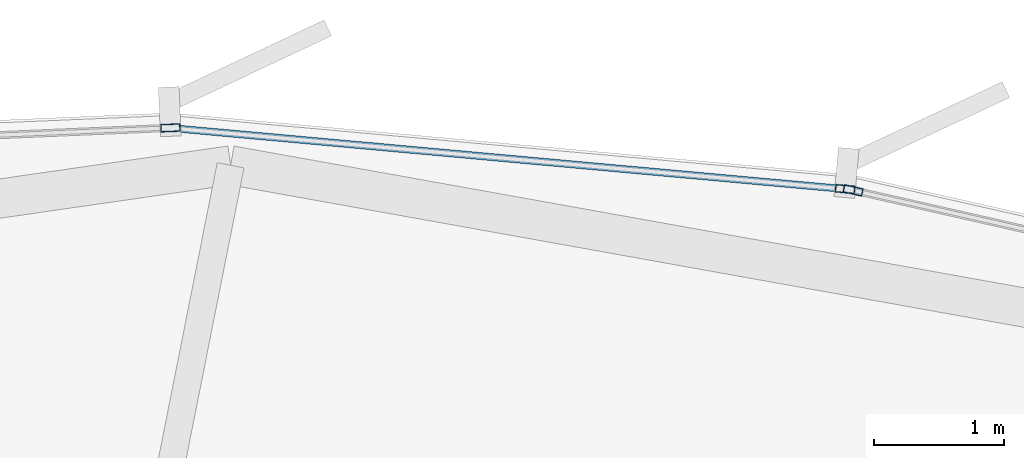
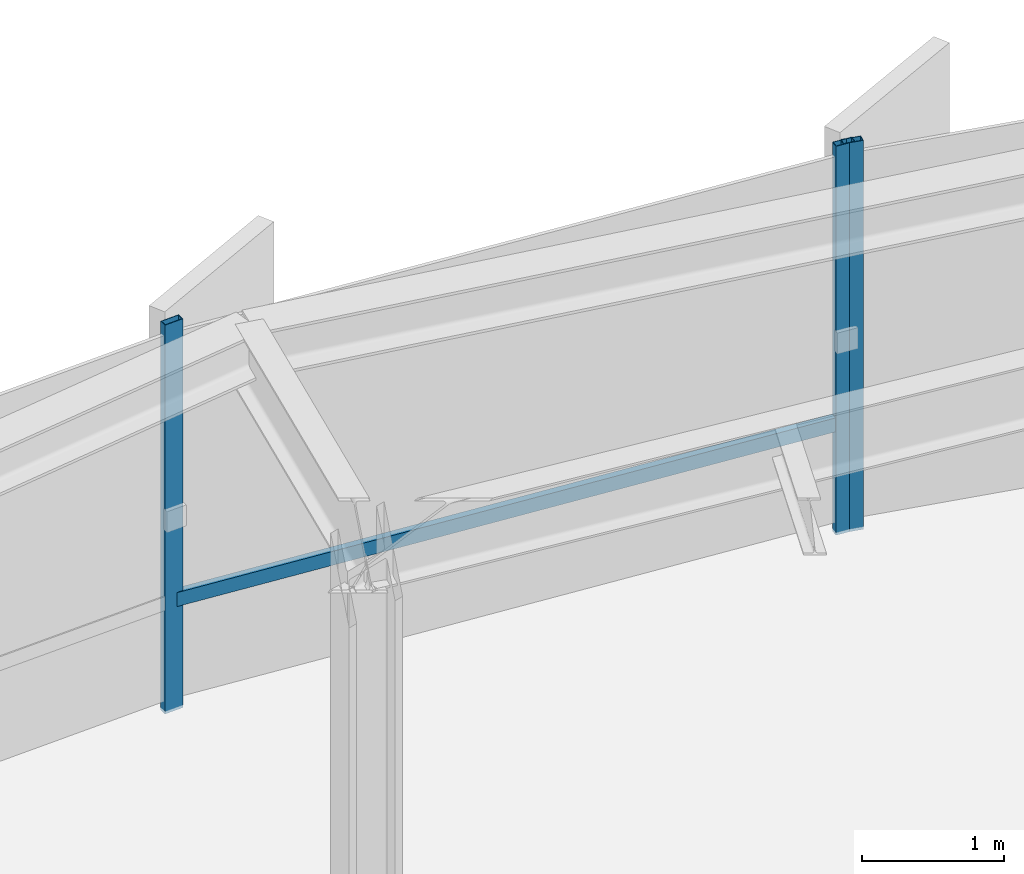
# One storey, part 26 of 35: 4 members, 2 elements without a shape of their own.
"""IFC4 building model written with IfcOpenShell, lengths in metres."""

import ifcopenshell
import ifcopenshell.guid

model = None  # the IFC model being written
_history = None  # IfcOwnerHistory: only IFC2X3 demands one
_inside = {}  # id of a spatial element -> (the spatial element, [elements in it])
_under = {}  # id of a project, library or spatial element -> (it, [spatial elements below it])
_declared = {}  # id of a project -> (the project, [libraries it declares])
_typed = {}  # id of a type object -> (the type object, [elements of that type])
_made_of = {}  # id of a material, layer set ... -> (it, [elements and type objects made of it])


def new_model(schema):
    """Start an empty IFC model of exactly this schema.

    Asked for "IFC4X3", IfcOpenShell would pick the latest addendum, in which some entities
    have other attributes; the version numbers below select the first issue.
    IFC2X3 requires an IfcOwnerHistory on every rooted entity: one is made here for all.
    """
    global model, _history
    if schema == "IFC4X3":
        model = ifcopenshell.file(schema_version=(4, 3, 0, 0))
    else:
        model = ifcopenshell.file(schema=schema)
    _inside.clear()
    _under.clear()
    _declared.clear()
    _typed.clear()
    _made_of.clear()
    _history = None
    if model.schema == "IFC2X3":
        org = make("IfcOrganization", Name="unknown")
        user = make(
            "IfcPersonAndOrganization",
            ThePerson=make("IfcPerson", FamilyName="unknown"),
            TheOrganization=org,
        )
        app = make(
            "IfcApplication",
            ApplicationDeveloper=org,
            Version="unknown",
            ApplicationFullName="unknown",
            ApplicationIdentifier="unknown",
        )
        _history = make(
            "IfcOwnerHistory",
            OwningUser=user,
            OwningApplication=app,
            ChangeAction="ADDED",
            CreationDate=0,
        )
    return model


def make(cls, **values):
    """One entity of the class cls with the attributes given. An attribute that is None is left unset."""
    return model.create_entity(
        cls, **{name: value for name, value in values.items() if value is not None}
    )


def rooted(cls, **values):
    """An entity with a GlobalId (a new one), such as an element, a storey or a relation."""
    return make(cls, GlobalId=ifcopenshell.guid.new(), OwnerHistory=_history, **values)


def si_unit(unit_type, name, prefix=None):
    """IfcSIUnit, for example si_unit("LENGTHUNIT", "METRE", prefix="MILLI")."""
    return make("IfcSIUnit", UnitType=unit_type, Prefix=prefix, Name=name)


def assignment(units):
    """IfcUnitAssignment: the units of a project."""
    return None if units is None else make("IfcUnitAssignment", Units=units)


def point(xyz):
    """IfcCartesianPoint."""
    return None if xyz is None else make("IfcCartesianPoint", Coordinates=xyz)


def direction(xyz):
    """IfcDirection."""
    return None if xyz is None else make("IfcDirection", DirectionRatios=xyz)


def frame(location, z_axis=None, x_axis=None):
    """IfcAxis2Placement3D, a coordinate frame: its origin and axes. An axis left out is left unset."""
    return make(
        "IfcAxis2Placement3D",
        Location=point(location),
        Axis=direction(z_axis),
        RefDirection=direction(x_axis),
    )


def frame_2d(location, x_axis=None):
    """IfcAxis2Placement2D, a coordinate frame in the plane: its origin and x axis."""
    return make(
        "IfcAxis2Placement2D", Location=point(location), RefDirection=direction(x_axis)
    )


def origin():
    """The frame at (0, 0, 0) with its axes left unset."""
    return frame((0.0, 0.0, 0.0))


def origin_2d():
    """The frame at (0, 0) in the plane with its x axis left unset."""
    return frame_2d((0.0, 0.0))


def place(relative_to, where):
    """IfcLocalPlacement: puts the frame where relative to a parent placement (None: the world)."""
    return make(
        "IfcLocalPlacement", PlacementRelTo=relative_to, RelativePlacement=where
    )


def context(
    kind, dimensions, precision=None, world=None, true_north=None, identifier=None
):
    """IfcGeometricRepresentationContext, for example the 3D "Model" context."""
    return make(
        "IfcGeometricRepresentationContext",
        ContextIdentifier=identifier,
        ContextType=kind,
        CoordinateSpaceDimension=dimensions,
        Precision=precision,
        WorldCoordinateSystem=world,
        TrueNorth=true_north,
    )


def subcontext(parent, identifier, kind, view, scale=None):
    """IfcGeometricRepresentationSubContext, for example "Body" below "Model"."""
    return make(
        "IfcGeometricRepresentationSubContext",
        ContextIdentifier=identifier,
        ContextType=kind,
        ParentContext=parent,
        TargetScale=scale,
        TargetView=view,
    )


def project(units=None, contexts=None):
    """IfcProject with its units and contexts."""
    return rooted(
        "IfcProject",
        Name="project",
        RepresentationContexts=contexts,
        UnitsInContext=assignment(units),
    )


def spatial(cls, under=None, at=None, **own):
    """A site, building, storey or space (cls), placed at a placement, below another one or the project."""
    s = rooted(cls, ObjectPlacement=at, **own)
    if under is not None:
        _under.setdefault(under.id(), (under, []))[1].append(s)
    return s


def profile(cls, at=None, kind="AREA", **sizes):
    """A parametric profile (cls). Its sizes go by their IFC names, for example OverallWidth=200.0."""
    return make(cls, ProfileType=kind, Position=at, **sizes)


def hollow_rectangle(**sizes):
    """IfcRectangleHollowProfileDef."""
    return profile("IfcRectangleHollowProfileDef", **sizes)


def extrude(swept, where, along, depth):
    """IfcExtrudedAreaSolid: the profile swept, set in the frame where, extruded along a direction by depth."""
    return make(
        "IfcExtrudedAreaSolid",
        SweptArea=swept,
        Position=where,
        ExtrudedDirection=direction(along),
        Depth=depth,
    )


def shape(context_of_items, identifier, shape_type, items):
    """IfcShapeRepresentation: the items that make up one representation, for example the "Body"."""
    return make(
        "IfcShapeRepresentation",
        ContextOfItems=context_of_items,
        RepresentationIdentifier=identifier,
        RepresentationType=shape_type,
        Items=items,
    )


def source(mapping_origin, context_of_items, identifier, shape_type, items):
    """IfcRepresentationMap: a shape defined once, which mapped items show again and again."""
    return make(
        "IfcRepresentationMap",
        MappingOrigin=mapping_origin,
        MappedRepresentation=shape(context_of_items, identifier, shape_type, items),
    )


def transform(
    local_origin,
    x_axis=None,
    y_axis=None,
    z_axis=None,
    scale=None,
    scale2=None,
    scale3=None,
    uniform=True,
):
    """IfcCartesianTransformationOperator3D, or its non-uniform kind. x_axis, y_axis, z_axis: its Axis1, 2, 3."""
    if uniform:
        return make(
            "IfcCartesianTransformationOperator3D",
            Axis1=direction(x_axis),
            Axis2=direction(y_axis),
            LocalOrigin=point(local_origin),
            Scale=scale,
            Axis3=direction(z_axis),
        )
    return make(
        "IfcCartesianTransformationOperator3DnonUniform",
        Axis1=direction(x_axis),
        Axis2=direction(y_axis),
        LocalOrigin=point(local_origin),
        Scale=scale,
        Axis3=direction(z_axis),
        Scale2=scale2,
        Scale3=scale3,
    )


def mapped(mapping_source, mapping_target):
    """IfcMappedItem: shows the shape of a source again, moved by a transform."""
    return make(
        "IfcMappedItem", MappingSource=mapping_source, MappingTarget=mapping_target
    )


def material(Name=None, Category=None):
    """IfcMaterial."""
    return make("IfcMaterial", Name=Name, Category=Category)


def layer(
    of_material, thickness, ventilated=None, Name=None, Category=None, Priority=None
):
    """IfcMaterialLayer: one layer of a wall or slab, of a material (None: an air gap)."""
    return make(
        "IfcMaterialLayer",
        Material=of_material,
        LayerThickness=thickness,
        IsVentilated=ventilated,
        Name=Name,
        Category=Category,
        Priority=Priority,
    )


def layer_set(layers, Name=None):
    """IfcMaterialLayerSet."""
    return make("IfcMaterialLayerSet", MaterialLayers=layers, LayerSetName=Name)


def material_profile(
    of_material, cross_section, Name=None, Category=None, Priority=None
):
    """IfcMaterialProfile: a cross section and its material."""
    return make(
        "IfcMaterialProfile",
        Name=Name,
        Material=of_material,
        Profile=cross_section,
        Priority=Priority,
        Category=Category,
    )


def profile_set(profiles, Name=None, composite=None):
    """IfcMaterialProfileSet."""
    return make(
        "IfcMaterialProfileSet",
        Name=Name,
        MaterialProfiles=profiles,
        CompositeProfile=composite,
    )


def made_of(thing, what):
    """Note that an element or type object is made of a material, layer set ...; save() writes the relation."""
    if what is not None:
        _made_of.setdefault(what.id(), (what, []))[1].append(thing)
    return thing


def type_object(cls, material=None, **own):
    """A type object (cls), such as IfcWallType, which elements share."""
    return made_of(rooted(cls, **own), material)


def element(
    cls,
    number,
    at=None,
    inside=None,
    cuts=None,
    type_object=None,
    material=None,
    context=None,
    identifier="Body",
    shape_type=None,
    held_by="IfcProductDefinitionShape",
    body=None,
    shapes=None,
    **own,
):
    """One element of the class cls, such as IfcWall. Its Tag is "e" and its number.

    at: its placement. inside: the storey or other place that contains it. cuts: it is an
    opening in that element (IfcRelVoidsElement). A single representation is given by context,
    identifier, shape_type and body (its items); several are given by shapes. held_by: the class
    of the entity that holds the representations. save() writes the other relations.
    """
    e = rooted(cls, Tag="e%d" % number, ObjectPlacement=at, **own)
    if body is not None:
        shapes = [shape(context, identifier, shape_type, body)]
    if shapes is not None:
        e.Representation = make(held_by, Representations=shapes)
    if inside is not None:
        _inside.setdefault(inside.id(), (inside, []))[1].append(e)
    if cuts is not None:
        rooted(
            "IfcRelVoidsElement", RelatingBuildingElement=cuts, RelatedOpeningElement=e
        )
    if type_object is not None:
        _typed.setdefault(type_object.id(), (type_object, []))[1].append(e)
    return made_of(e, material)


def aggregate(whole, parts):
    """IfcRelAggregates: a whole, such as a stair, and the parts it consists of."""
    return rooted("IfcRelAggregates", RelatingObject=whole, RelatedObjects=parts)


def save(model, path):
    """Write the relations noted so far, then the file.

    IfcRelAggregates (storeys below a building ...), IfcRelContainedInSpatialStructure (elements
    in a storey), IfcRelDefinesByType, IfcRelAssociatesMaterial and IfcRelDeclares: one each for
    every whole, place, type object, material and project.
    """
    for whole, parts in _under.values():
        aggregate(whole, parts)
    for where, things in _inside.values():
        rooted(
            "IfcRelContainedInSpatialStructure",
            RelatedElements=things,
            RelatingStructure=where,
        )
    for kind, things in _typed.values():
        rooted("IfcRelDefinesByType", RelatedObjects=things, RelatingType=kind)
    for what, things in _made_of.values():
        rooted("IfcRelAssociatesMaterial", RelatedObjects=things, RelatingMaterial=what)
    for by, libraries in _declared.values():
        rooted("IfcRelDeclares", RelatingContext=by, RelatedDefinitions=libraries)
    model.write(path)


model = new_model("IFC4")

# Units and contexts
model_context = context("Model", 3, precision=1e-05, world=origin(), true_north=direction((0.0, 1.0)))
body_context = subcontext(model_context, "Body", "Model", "MODEL_VIEW")
ifc_project = project(units=[si_unit("LENGTHUNIT", "METRE"), si_unit("AREAUNIT", "SQUARE_METRE"), si_unit("VOLUMEUNIT", "CUBIC_METRE"), si_unit("PLANEANGLEUNIT", "RADIAN"), si_unit("MASSUNIT", "GRAM", prefix="KILO"), si_unit("THERMODYNAMICTEMPERATUREUNIT", "KELVIN")], contexts=[model_context])

# Site, building, storey
site_placement = place(None, origin())
site = spatial("IfcSite", under=ifc_project, at=site_placement, CompositionType="ELEMENT")
building_placement = place(site_placement, origin())
building = spatial("IfcBuilding", under=site, at=building_placement, Name="Kethvar Cultural Tower", CompositionType="ELEMENT")
storey_placement = place(building_placement, frame((0.0, 0.0, 92.800048828125)))
storey = spatial("IfcBuildingStorey", under=building, at=storey_placement, Name="L22", CompositionType="ELEMENT", Elevation=92.800048828125)

# Curtain wall, member
ifc_material = material(Name="Aluminium 6063-T6", Category="aluminium")
ifc_layer = layer(ifc_material, 0.179931640625, Name="Aluminium 6063-T6", Category="aluminium")
ifc_layer_set = layer_set([ifc_layer], Name="Aluminium 6063-T6 (180 mm)")
curtain_wall_type = type_object("IfcCurtainWallType", Name="CW-SYS-03-Z2", PredefinedType="NOTDEFINED", material=ifc_layer_set)
curtain_wall_1_placement = place(storey_placement, origin())
curtain_wall_1 = element("IfcCurtainWall", 1, at=curtain_wall_1_placement, inside=storey, type_object=curtain_wall_type, Name="L22 Curtain Wall Run 01", PredefinedType="NOTDEFINED")
ifc_material_profile_1 = material_profile(ifc_material, hollow_rectangle(XDim=0.06005859375, YDim=0.14990234375, WallThickness=0.0048828125, at=origin_2d()), Name="Aluminium 6063-T6 — RHS150x60x5")
ifc_profile_set_1 = profile_set([ifc_material_profile_1], Name="Aluminium 6063-T6 — RHS150x60x5")
member_type_1 = type_object("IfcMemberType", Name="CW-SYS-03-Z2-MUL", PredefinedType="MULLION", material=ifc_profile_set_1)
shared_shape_1 = source(origin(), body_context, "Body", "SweptSolid", [
    extrude(hollow_rectangle(XDim=0.06005859375, YDim=0.14990234375, WallThickness=0.0048828125, at=origin_2d()), origin(), (0.0, 0.0, 1.0), 3.349853515625),
])
member_1_placement = place(storey_placement, frame((56.37060546875, 51.593994140625, 0.0), z_axis=(0.0, 0.0, 1.0), x_axis=(-0.22108894473, -0.975253648298, 0.0)))
member_1 = element("IfcMember", 2, at=member_1_placement, type_object=member_type_1, Name="CW-L22-R01 Mullion 7", PredefinedType="MULLION", context=body_context, shape_type="MappedRepresentation", body=[
    mapped(shared_shape_1, transform((0.0, 0.0, 0.0), scale=1.0)),
])
aggregate(curtain_wall_1, [member_1])

# Curtain wall, members
curtain_wall_2_placement = place(storey_placement, origin())
curtain_wall_2 = element("IfcCurtainWall", 3, at=curtain_wall_2_placement, inside=storey, type_object=curtain_wall_type, Name="L22 Curtain Wall Run 02", PredefinedType="NOTDEFINED")
member_2_placement = place(storey_placement, frame((56.308837890625, 51.603759765625, 0.0), z_axis=(0.0, 0.0, 1.0), x_axis=(-0.090198035041, -0.995923849737, 0.0)))
member_2 = element("IfcMember", 4, at=member_2_placement, type_object=member_type_1, Name="CW-L22-R02 Mullion 1", PredefinedType="MULLION", context=body_context, shape_type="MappedRepresentation", body=[
    mapped(shared_shape_1, transform((0.0, 0.0, 0.0), scale=1.0)),
])
member_3_placement = place(storey_placement, frame((51.107177734375, 52.07568359375, 0.0), z_axis=(0.0, 0.0, 1.0), x_axis=(0.042416225047, -0.999100026951, 0.0)))
member_3 = element("IfcMember", 5, at=member_3_placement, type_object=member_type_1, Name="CW-L22-R02 Mullion 2", PredefinedType="MULLION", context=body_context, shape_type="MappedRepresentation", body=[
    mapped(shared_shape_1, transform((0.0, 0.0, 0.0), scale=1.0)),
])
ifc_material_profile_2 = material_profile(ifc_material, hollow_rectangle(XDim=0.054931640625, YDim=0.1201171875, WallThickness=0.00390625, at=origin_2d()), Name="Aluminium 6063-T6 — RHS120x55x4")
ifc_profile_set_2 = profile_set([ifc_material_profile_2], Name="Aluminium 6063-T6 — RHS120x55x4")
member_type_2 = type_object("IfcMemberType", Name="CW-SYS-03-Z2-TRN", PredefinedType="USERDEFINED", material=ifc_profile_set_2)
shared_shape_2 = source(origin(), body_context, "Body", "SweptSolid", [
    extrude(hollow_rectangle(XDim=0.054931640625, YDim=0.1201171875, WallThickness=0.00390625, at=origin_2d()), origin(), (0.0, 0.0, 1.0), 5.19091796875),
])
member_4_placement = place(storey_placement, frame((56.3046875, 51.60400390625, 0.949951171875), z_axis=(-0.995922837671, 0.090209209098, 0.0), x_axis=(-0.090209209098, -0.995922837671, 0.0)))
member_4 = element("IfcMember", 6, at=member_4_placement, type_object=member_type_2, Name="CW-L22-R02 Transom 1", ObjectType="TRANSOM", PredefinedType="USERDEFINED", context=body_context, shape_type="MappedRepresentation", body=[
    mapped(shared_shape_2, transform((0.0, 0.0, 0.0), scale=1.0)),
])
aggregate(curtain_wall_2, [member_2, member_3, member_4])

save(model, "model.ifc")
